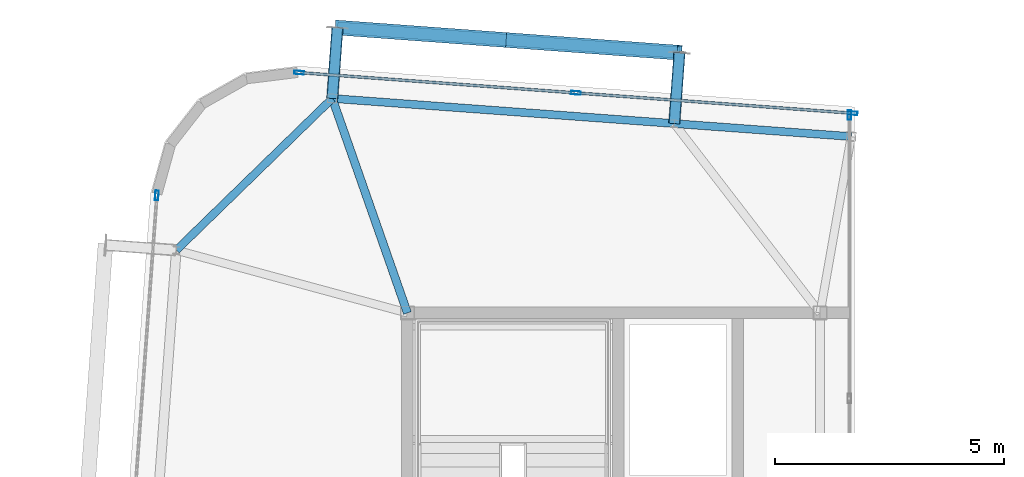
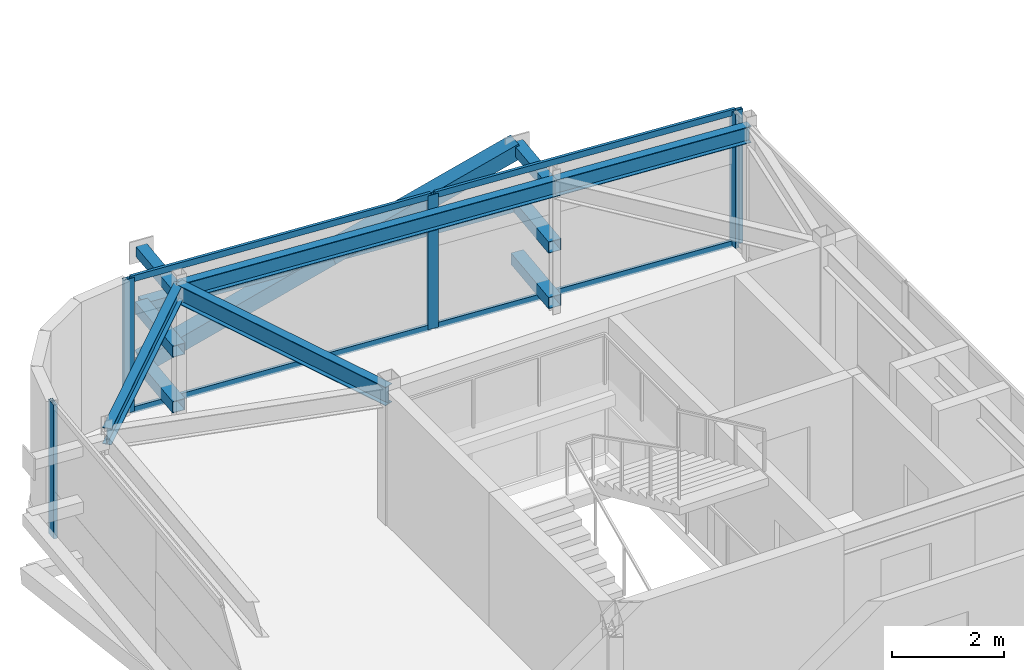
# One storey, part 24 of 39: 18 members, 4 beams, 3 elements without a shape of their own.
"""IFC4 building model written with IfcOpenShell, lengths in metres."""

from ifc_helpers import new_model, si_unit, direction, frame, origin, origin_2d, place, context, subcontext, project, spatial, hollow_rectangle, i_section, extrude, source, transform, mapped, material, layer, layer_set, material_profile, profile_set, type_object, element, aggregate, save


model = new_model("IFC4")

# Units and contexts
model_context = context("Model", 3, precision=1e-05, world=origin(), true_north=direction((0.0, 1.0)))
body_context = subcontext(model_context, "Body", "Model", "MODEL_VIEW")
ifc_project = project(units=[si_unit("LENGTHUNIT", "METRE"), si_unit("AREAUNIT", "SQUARE_METRE"), si_unit("VOLUMEUNIT", "CUBIC_METRE"), si_unit("PLANEANGLEUNIT", "RADIAN"), si_unit("MASSUNIT", "GRAM", prefix="KILO")], contexts=[model_context])

# Site, building, storey
site_placement = place(None, origin())
site = spatial("IfcSite", under=ifc_project, at=site_placement, CompositionType="ELEMENT")
building_placement = place(site_placement, origin())
building = spatial("IfcBuilding", under=site, at=building_placement, Name="Taldren Reach Tower", CompositionType="ELEMENT")
storey_placement = place(building_placement, frame((0.0, 0.0, 230.300048828125)))
storey = spatial("IfcBuildingStorey", under=building, at=storey_placement, Name="L70", CompositionType="ELEMENT", Elevation=230.300048828125)

# Members
ifc_material_1 = material(Name="Steel Gr 350 (C350L0)", Category="steel")
ifc_material_profile_1 = material_profile(ifc_material_1, hollow_rectangle(XDim=0.25, YDim=0.25, WallThickness=0.010009765625, at=origin_2d()), Name="250x250x10.0SHS")
ifc_profile_set_1 = profile_set([ifc_material_profile_1], Name="Steel Gr 350 (C350L0)")
member_type_1 = type_object("IfcMemberType", Name="MB-POST250", PredefinedType="POST", material=ifc_profile_set_1)
shared_shape_1 = source(origin(), body_context, "Body", "SweptSolid", [
    extrude(hollow_rectangle(XDim=0.25, YDim=0.25, WallThickness=0.010009765625, at=origin_2d()), origin(), (0.0, 0.0, 1.0), 1.5498046875),
])
for number, where, z_axis, x_axis, name in (
    (1, (17.35986328125, 36.678955078125, 0.219970703125), (0.073250797913, 0.997313551801, 0.0), (-0.997313551801, 0.073250797913, 0.0), "Exoskeleton base diaphragm tie strut B5-N1 L70"),
    (2, (17.35986328125, 36.678955078125, 1.43505859375), (0.073250797913, 0.997313551801, 0.0), (-0.997313551801, 0.073250797913, 0.0), "Exoskeleton mid-tier diaphragm tie B5-N1 L70"),
):
    element("IfcMember", number, at=place(storey_placement, frame(where, z_axis=z_axis, x_axis=x_axis)), inside=storey, type_object=member_type_1, Name=name, PredefinedType="POST", context=body_context, shape_type="MappedRepresentation", body=[
        mapped(shared_shape_1, transform((0.0, 0.0, 0.0), scale=1.0)),
    ])
shared_shape_2 = source(origin(), body_context, "Body", "SweptSolid", [
    extrude(hollow_rectangle(XDim=0.25, YDim=0.25, WallThickness=0.010009765625, at=origin_2d()), origin(), (0.0, 0.0, 1.0), 1.550048828125),
])
for number, where, z_axis, x_axis, name in (
    (3, (24.819580078125, 36.131103515625, 0.219970703125), (0.07323929162, 0.997314396849, 0.0), (-0.997314396849, 0.07323929162, 0.0), "Exoskeleton base diaphragm tie strut B5-N2 L70"),
    (4, (24.819580078125, 36.131103515625, 1.43505859375), (0.07323929162, 0.997314396849, 0.0), (-0.997314396849, 0.07323929162, 0.0), "Exoskeleton mid-tier diaphragm tie B5-N2 L70"),
):
    element("IfcMember", number, at=place(storey_placement, frame(where, z_axis=z_axis, x_axis=x_axis)), inside=storey, type_object=member_type_1, Name=name, PredefinedType="POST", context=body_context, shape_type="MappedRepresentation", body=[
        mapped(shared_shape_2, transform((0.0, 0.0, 0.0), scale=1.0)),
    ])
ifc_material_2 = material(Name="Steel Gr 450 (C450L0)", Category="steel")
ifc_material_profile_2 = material_profile(ifc_material_2, hollow_rectangle(XDim=0.219970703125, YDim=0.219970703125, WallThickness=0.00830078125, at=origin_2d()), Name="220x220x8.2SHS")
ifc_profile_set_2 = profile_set([ifc_material_profile_2], Name="Steel Gr 450 (C450L0)")
member_type_2 = type_object("IfcMemberType", Name="MB-TIE219", PredefinedType="STRUT", material=ifc_profile_set_2)
shared_shape_3 = source(origin(), body_context, "Body", "SweptSolid", [
    extrude(hollow_rectangle(XDim=0.219970703125, YDim=0.219970703125, WallThickness=0.00830078125, at=origin_2d()), origin(), (0.0, 0.0, 1.0), 1.5498046875),
])
member_1_placement = place(storey_placement, frame((17.35986328125, 36.678955078125, 2.64990234375), z_axis=(0.073250797913, 0.997313551801, 0.0), x_axis=(-0.997313551801, 0.073250797913, 0.0)))
element("IfcMember", 5, at=member_1_placement, inside=storey, type_object=member_type_2, Name="Exoskeleton diaphragm tie strut B5-N1 L70", PredefinedType="STRUT", context=body_context, shape_type="MappedRepresentation", body=[
    mapped(shared_shape_3, transform((0.0, 0.0, 0.0), scale=1.0)),
])
shared_shape_4 = source(origin(), body_context, "Body", "SweptSolid", [
    extrude(hollow_rectangle(XDim=0.219970703125, YDim=0.219970703125, WallThickness=0.00830078125, at=origin_2d()), origin(), (0.0, 0.0, 1.0), 1.550048828125),
])
member_2_placement = place(storey_placement, frame((24.819580078125, 36.131103515625, 2.64990234375), z_axis=(0.07323929162, 0.997314396849, 0.0), x_axis=(-0.997314396849, 0.07323929162, 0.0)))
element("IfcMember", 6, at=member_2_placement, inside=storey, type_object=member_type_2, Name="Exoskeleton diaphragm tie strut B5-N2 L70", PredefinedType="STRUT", context=body_context, shape_type="MappedRepresentation", body=[
    mapped(shared_shape_4, transform((0.0, 0.0, 0.0), scale=1.0)),
])

# Beams
ifc_material_3 = material(Name="Steel Gr 350 (350PLUS)", Category="steel")
ifc_material_profile_3 = material_profile(ifc_material_3, i_section(OverallWidth=0.172119140625, OverallDepth=0.35888671875, WebThickness=0.008056640625, FlangeThickness=0.012939453125, at=origin_2d()), Name="360UB56.7")
ifc_profile_set_3 = profile_set([ifc_material_profile_3], Name="Steel Gr 350 (350PLUS)")
beam_type_1 = type_object("IfcBeamType", Name="SP-UB360", PredefinedType="SPANDREL", material=ifc_profile_set_3)
shared_shape_5 = source(origin(), body_context, "Body", "SweptSolid", [
    extrude(i_section(OverallWidth=0.172119140625, OverallDepth=0.35888671875, WebThickness=0.008056640625, FlangeThickness=0.012939453125, at=origin_2d()), origin(), (0.0, 0.0, 1.0), 7.479736328125),
])
beam_1_placement = place(storey_placement, frame((24.819580078125, 36.131103515625, 2.75048828125), z_axis=(-0.997314045547, 0.073244075215, 0.0), x_axis=(-0.073244075215, -0.997314045547, 0.0)))
element("IfcBeam", 7, at=beam_1_placement, inside=storey, type_object=beam_type_1, Name="Perimeter spandrel B5 N2-N1 L70", PredefinedType="SPANDREL", context=body_context, shape_type="MappedRepresentation", body=[
    mapped(shared_shape_5, transform((0.0, 0.0, 0.0), scale=1.0)),
])
shared_shape_6 = source(origin(), body_context, "Body", "SweptSolid", [
    extrude(i_section(OverallWidth=0.172119140625, OverallDepth=0.35888671875, WebThickness=0.008056640625, FlangeThickness=0.012939453125, at=origin_2d()), origin(), (0.0, 0.0, 1.0), 4.74609375),
])
beam_2_placement = place(storey_placement, frame((17.35986328125, 36.678955078125, 2.75048828125), z_axis=(-0.716711338436, -0.697369957309, 0.0), x_axis=(0.697369957309, -0.716711338436, 0.0)))
element("IfcBeam", 8, at=beam_2_placement, inside=storey, type_object=beam_type_1, Name="Perimeter spandrel B5 N1-W3 L70", PredefinedType="SPANDREL", context=body_context, shape_type="MappedRepresentation", body=[
    mapped(shared_shape_6, transform((0.0, 0.0, 0.0), scale=1.0)),
])
shared_shape_7 = source(origin(), body_context, "Body", "SweptSolid", [
    extrude(i_section(OverallWidth=0.172119140625, OverallDepth=0.35888671875, WebThickness=0.008056640625, FlangeThickness=0.012939453125, at=origin_2d()), origin(), (0.0, 0.0, 1.0), 3.8701171875),
])
beam_3_placement = place(storey_placement, frame((28.67919921875, 35.84765625, 2.75048828125), z_axis=(-0.997314202545, 0.073241937451, 0.0), x_axis=(-0.073241937451, -0.997314202545, 0.0)))
element("IfcBeam", 9, at=beam_3_placement, inside=storey, type_object=beam_type_1, Name="Perimeter spandrel B5 PJN1-N2 L70", PredefinedType="SPANDREL", context=body_context, shape_type="MappedRepresentation", body=[
    mapped(shared_shape_7, transform((0.0, 0.0, 0.0), scale=1.0)),
])
ifc_material_profile_4 = material_profile(ifc_material_3, i_section(OverallWidth=0.177978515625, OverallDepth=0.406005859375, WebThickness=0.0078125, FlangeThickness=0.0126953125, at=origin_2d()), Name="410UB59.7")
ifc_profile_set_4 = profile_set([ifc_material_profile_4], Name="Steel Gr 350 (350PLUS)")
beam_type_2 = type_object("IfcBeamType", Name="BM-UB410", PredefinedType="BEAM", material=ifc_profile_set_4)
shared_shape_8 = source(origin(), body_context, "Body", "SweptSolid", [
    extrude(i_section(OverallWidth=0.177978515625, OverallDepth=0.406005859375, WebThickness=0.0078125, FlangeThickness=0.0126953125, at=origin_2d()), origin(), (0.0, 0.0, 1.0), 4.9580078125),
])
beam_4_placement = place(storey_placement, frame((19.0, 32.0, 2.72705078125), z_axis=(-0.330800025288, 0.943700875951, 0.0), x_axis=(-0.943700875951, -0.330800025288, 0.0)))
element("IfcBeam", 10, at=beam_4_placement, inside=storey, type_object=beam_type_2, Name="Primary floor girder B5-N1 L70", PredefinedType="BEAM", context=body_context, shape_type="MappedRepresentation", body=[
    mapped(shared_shape_8, transform((0.0, 0.0, 0.0), scale=1.0)),
])

# Members
ifc_material_profile_5 = material_profile(ifc_material_2, hollow_rectangle(XDim=0.324951171875, YDim=0.324951171875, WallThickness=0.0126953125, at=origin_2d()), Name="325x325x12.7SHS")
ifc_profile_set_5 = profile_set([ifc_material_profile_5], Name="Steel Gr 450 (C450L0)")
member_type_3 = type_object("IfcMemberType", Name="MB-BR324", PredefinedType="BRACE", material=ifc_profile_set_5)
shared_shape_9 = source(origin(), body_context, "Body", "SweptSolid", [
    extrude(hollow_rectangle(XDim=0.324951171875, YDim=0.324951171875, WallThickness=0.0126953125, at=origin_2d()), origin(), (0.0, 0.0, 1.0), 3.932373046875),
])
member_3_placement = place(storey_placement, frame((17.473388671875, 38.224609375, 0.219970703125), z_axis=(0.948511132845, -0.069657644394, 0.308989390507), x_axis=(0.07324169103, 0.997314220642, 0.0)))
element("IfcMember", 11, at=member_3_placement, inside=storey, type_object=member_type_3, Name="Exoskeleton Diagrid Brace B5-N1 L70", PredefinedType="BRACE", context=body_context, shape_type="MappedRepresentation", body=[
    mapped(shared_shape_9, transform((0.0, 0.0, 0.0), scale=1.0)),
])
shared_shape_10 = source(origin(), body_context, "Body", "SweptSolid", [
    extrude(hollow_rectangle(XDim=0.324951171875, YDim=0.324951171875, WallThickness=0.0126953125, at=origin_2d()), origin(), (0.0, 0.0, 1.0), 3.93212890625),
])
member_4_placement = place(storey_placement, frame((21.203369140625, 37.95068359375, 1.43505859375), z_axis=(0.948527200613, -0.069601295535, 0.308952762339), x_axis=(0.073181527281, 0.997318637179, 0.0)))
element("IfcMember", 12, at=member_4_placement, inside=storey, type_object=member_type_3, Name="Exoskeleton Diagrid Brace B5-N1 L70", PredefinedType="BRACE", context=body_context, shape_type="MappedRepresentation", body=[
    mapped(shared_shape_10, transform((0.0, 0.0, 0.0), scale=1.0)),
])
shared_shape_11 = source(origin(), body_context, "Body", "SweptSolid", [
    extrude(hollow_rectangle(XDim=0.25, YDim=0.25, WallThickness=0.010009765625, at=origin_2d()), origin(), (0.0, 0.0, 1.0), 7.479736328125),
])
member_5_placement = place(storey_placement, frame((17.473388671875, 38.224609375, 1.43505859375), z_axis=(0.997316429287, -0.07321161024, 0.0), x_axis=(0.07321161024, 0.997316429287, 0.0)))
element("IfcMember", 13, at=member_5_placement, inside=storey, type_object=member_type_1, Name="Exoskeleton mid-height ring chord B5-N1 L70", PredefinedType="POST", context=body_context, shape_type="MappedRepresentation", body=[
    mapped(shared_shape_11, transform((0.0, 0.0, 0.0), scale=1.0)),
])

# Curtain wall, members
ifc_material_4 = material(Name="Aluminium and Low-E Glass Unitised System", Category="aluminium")
ifc_layer = layer(ifc_material_4, 0.159912109375)
ifc_layer_set = layer_set([ifc_layer], Name="Aluminium and Low-E Glass Unitised System")
curtain_wall_type = type_object("IfcCurtainWallType", Name="CW-SYS-7", PredefinedType="NOTDEFINED", material=ifc_layer_set)
curtain_wall_1_placement = place(storey_placement, origin())
curtain_wall_1 = element("IfcCurtainWall", 14, at=curtain_wall_1_placement, inside=storey, type_object=curtain_wall_type, Name="Unitised curtain wall CW-L70-NWING", PredefinedType="NOTDEFINED")
ifc_material_5 = material(Name="Anodised Aluminium 6063-T6", Category="aluminium")
ifc_material_profile_6 = material_profile(ifc_material_5, hollow_rectangle(XDim=0.074951171875, YDim=0.2099609375, WallThickness=0.00439453125, at=origin_2d()), Name="ALU-210x75x4.5RHS")
ifc_profile_set_6 = profile_set([ifc_material_profile_6], Name="Anodised Aluminium 6063-T6")
member_type_4 = type_object("IfcMemberType", Name="CW-MUL-200", PredefinedType="MULLION", material=ifc_profile_set_6)
shared_shape_12 = source(origin(), body_context, "Body", "SweptSolid", [
    extrude(hollow_rectangle(XDim=0.074951171875, YDim=0.2099609375, WallThickness=0.00439453125, at=origin_2d()), origin(), (0.0, 0.0, 1.0), 2.929931640625),
])
member_6_placement = place(storey_placement, frame((28.712646484375, 36.3564453125, 0.0), z_axis=(0.0, 0.0, 1.0), x_axis=(-0.073237944038, -0.99731449581, 0.0)))
member_6 = element("IfcMember", 15, at=member_6_placement, type_object=member_type_4, Name="CW-7 mullion 1", PredefinedType="MULLION", context=body_context, shape_type="MappedRepresentation", body=[
    mapped(shared_shape_12, transform((0.0, 0.0, 0.0), scale=1.0)),
])
member_7_placement = place(storey_placement, frame((22.674560546875, 36.800048828125, 0.0), z_axis=(0.0, 0.0, 1.0), x_axis=(-0.073237944038, -0.99731449581, 0.0)))
member_7 = element("IfcMember", 16, at=member_7_placement, type_object=member_type_4, Name="CW-7 mullion 2", PredefinedType="MULLION", context=body_context, shape_type="MappedRepresentation", body=[
    mapped(shared_shape_12, transform((0.0, 0.0, 0.0), scale=1.0)),
])
member_8_placement = place(storey_placement, frame((16.63671875, 37.243408203125, 0.0), z_axis=(0.0, 0.0, 1.0), x_axis=(-0.073237944038, -0.99731449581, 0.0)))
member_8 = element("IfcMember", 17, at=member_8_placement, type_object=member_type_4, Name="CW-7 mullion 3", PredefinedType="MULLION", context=body_context, shape_type="MappedRepresentation", body=[
    mapped(shared_shape_12, transform((0.0, 0.0, 0.0), scale=1.0)),
])

# Curtain wall, member
curtain_wall_2_placement = place(storey_placement, origin())
curtain_wall_2 = element("IfcCurtainWall", 18, at=curtain_wall_2_placement, inside=storey, type_object=curtain_wall_type, Name="Unitised curtain wall CW7-L70-PNW", PredefinedType="NOTDEFINED")
member_9_placement = place(storey_placement, frame((28.639892578125, 36.31640625, 0.0), z_axis=(0.0, 0.0, 1.0), x_axis=(-1.0, 0.0, 0.0)))
member_9 = element("IfcMember", 19, at=member_9_placement, type_object=member_type_4, Name="CW-7 mullion 3", PredefinedType="MULLION", context=body_context, shape_type="MappedRepresentation", body=[
    mapped(shared_shape_12, transform((0.0, 0.0, 0.0), scale=1.0)),
])
aggregate(curtain_wall_2, [member_9])

curtain_wall_3_placement = place(storey_placement, origin())
curtain_wall_3 = element("IfcCurtainWall", 20, at=curtain_wall_3_placement, inside=storey, type_object=curtain_wall_type, Name="Unitised curtain wall CW-L70-W", PredefinedType="NOTDEFINED")
member_10_placement = place(storey_placement, frame((13.53466796875, 34.56591796875, 0.0), z_axis=(0.0, 0.0, 1.0), x_axis=(0.997314470951, -0.073238282558, 0.0)))
member_10 = element("IfcMember", 21, at=member_10_placement, type_object=member_type_4, Name="CW-7 mullion 1", PredefinedType="MULLION", context=body_context, shape_type="MappedRepresentation", body=[
    mapped(shared_shape_12, transform((0.0, 0.0, 0.0), scale=1.0)),
])
aggregate(curtain_wall_3, [member_10])

# Member
ifc_material_profile_7 = material_profile(ifc_material_5, hollow_rectangle(XDim=0.06005859375, YDim=0.135009765625, WallThickness=0.00341796875, at=origin_2d()), Name="ALU-135x60x3.5RHS")
ifc_profile_set_7 = profile_set([ifc_material_profile_7], Name="Anodised Aluminium 6063-T6")
member_type_5 = type_object("IfcMemberType", Name="CW-TRN-150", PredefinedType="USERDEFINED", material=ifc_profile_set_7)
shared_shape_13 = source(origin(), body_context, "Body", "SweptSolid", [
    extrude(hollow_rectangle(XDim=0.06005859375, YDim=0.135009765625, WallThickness=0.00341796875, at=origin_2d()), origin(), (0.0, 0.0, 1.0), 5.979248046875),
])
member_11_placement = place(storey_placement, frame((28.67529296875, 36.359375, 0.030029296875), z_axis=(-0.997316444899, 0.073211397572, 0.0), x_axis=(-0.073211397572, -0.997316444899, 0.0)))
member_11 = element("IfcMember", 22, at=member_11_placement, type_object=member_type_5, Name="CW-7 transom 1.1", ObjectType="TRANSOM", PredefinedType="USERDEFINED", context=body_context, shape_type="MappedRepresentation", body=[
    mapped(shared_shape_13, transform((0.0, 0.0, 0.0), scale=1.0)),
])

member_12_placement = place(storey_placement, frame((28.67529296875, 36.359375, 2.89990234375), z_axis=(-0.997316444899, 0.073211397572, 0.0), x_axis=(-0.073211397572, -0.997316444899, 0.0)))
member_12 = element("IfcMember", 23, at=member_12_placement, type_object=member_type_5, Name="CW-7 transom 1.2", ObjectType="TRANSOM", PredefinedType="USERDEFINED", context=body_context, shape_type="MappedRepresentation", body=[
    mapped(shared_shape_13, transform((0.0, 0.0, 0.0), scale=1.0)),
])

member_13_placement = place(storey_placement, frame((22.63720703125, 36.802734375, 0.030029296875), z_axis=(-0.997316444899, 0.073211397572, 0.0), x_axis=(-0.073211397572, -0.997316444899, 0.0)))
member_13 = element("IfcMember", 24, at=member_13_placement, type_object=member_type_5, Name="CW-7 transom 2.1", ObjectType="TRANSOM", PredefinedType="USERDEFINED", context=body_context, shape_type="MappedRepresentation", body=[
    mapped(shared_shape_13, transform((0.0, 0.0, 0.0), scale=1.0)),
])

member_14_placement = place(storey_placement, frame((22.63720703125, 36.802734375, 2.89990234375), z_axis=(-0.997316444899, 0.073211397572, 0.0), x_axis=(-0.073211397572, -0.997316444899, 0.0)))
member_14 = element("IfcMember", 25, at=member_14_placement, type_object=member_type_5, Name="CW-7 transom 2.2", ObjectType="TRANSOM", PredefinedType="USERDEFINED", context=body_context, shape_type="MappedRepresentation", body=[
    mapped(shared_shape_13, transform((0.0, 0.0, 0.0), scale=1.0)),
])

aggregate(curtain_wall_1, [member_6, member_7, member_8, member_11, member_12, member_13, member_14])

save(model, "model.ifc")
